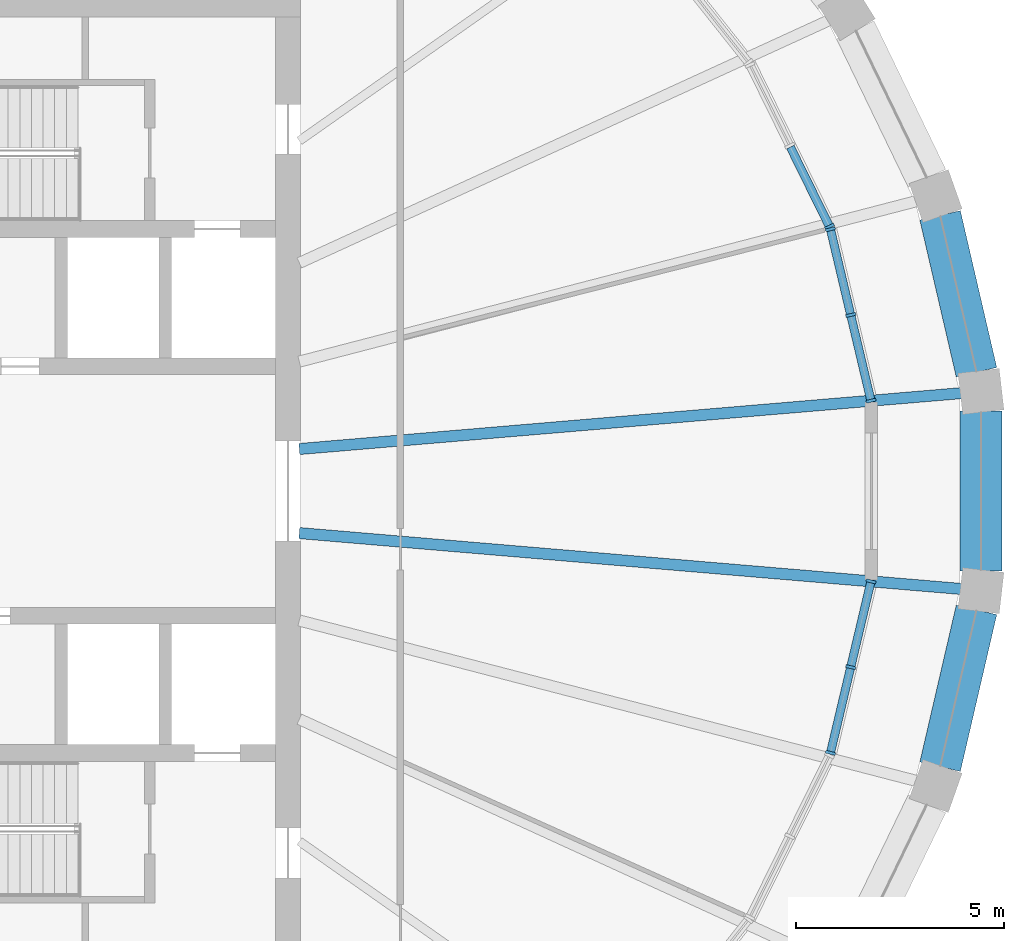
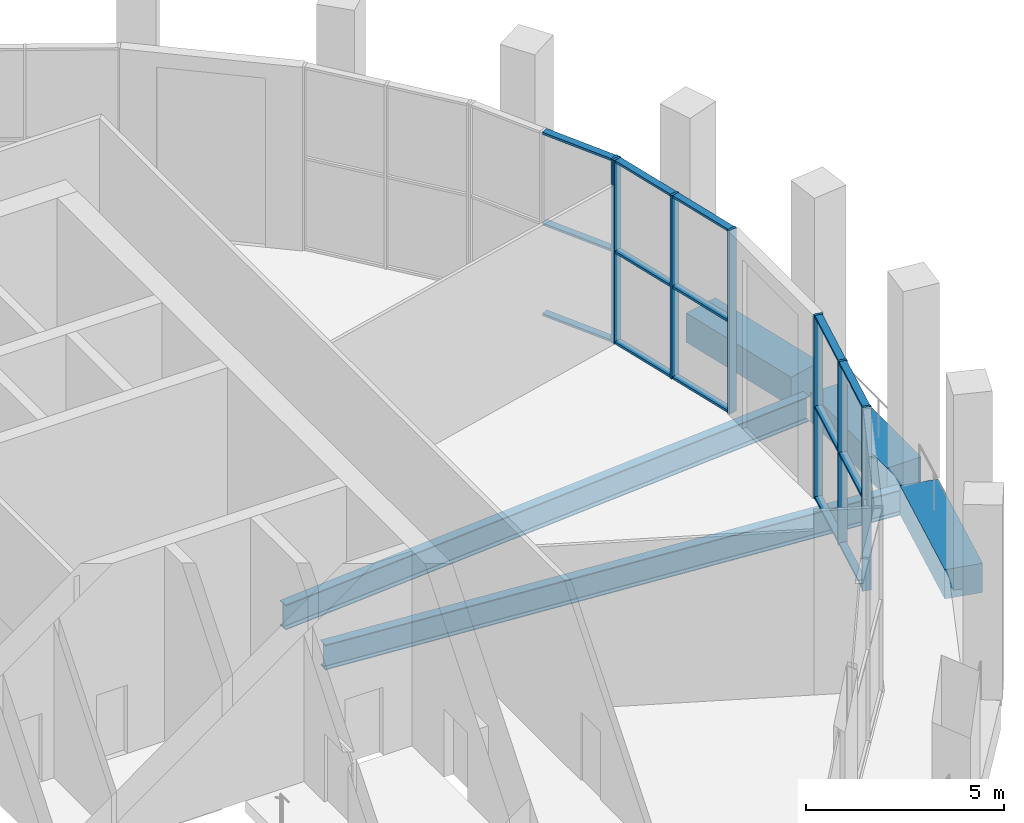
# One storey, part 5 of 15: 22 members, 5 beams, 3 elements without a shape of their own.
"""IFC4 building model written with IfcOpenShell, lengths in metres."""

from ifc_helpers import new_model, si_unit, direction, frame, origin, origin_2d, place, context, subcontext, project, spatial, rectangle, i_section, extrude, material, material_profile, profile_set, type_object, element, aggregate, save


model = new_model("IFC4")

# Units and contexts
model_context = context("Model", 3, precision=1e-05, world=origin(), true_north=direction((0.0, 1.0)))
body_context = subcontext(model_context, "Body", "Model", "MODEL_VIEW")
ifc_project = project(units=[si_unit("LENGTHUNIT", "METRE"), si_unit("AREAUNIT", "SQUARE_METRE"), si_unit("VOLUMEUNIT", "CUBIC_METRE"), si_unit("PLANEANGLEUNIT", "RADIAN"), si_unit("MASSUNIT", "GRAM", prefix="KILO")], contexts=[model_context])

# Site, building, storey
site_placement = place(None, origin())
site = spatial("IfcSite", under=ifc_project, at=site_placement, CompositionType="ELEMENT")
building_placement = place(site_placement, origin())
building = spatial("IfcBuilding", under=site, at=building_placement, Name="Halqa Exchange Tower", CompositionType="ELEMENT")
storey_placement = place(building_placement, frame((0.0, 0.0, 343.300048828125)))
storey = spatial("IfcBuildingStorey", under=building, at=storey_placement, Name="L80", CompositionType="ELEMENT", Elevation=343.300048828125)

# Beams
ifc_material_1 = material(Name="Steel S355", Category="steel")
ifc_material_profile_1 = material_profile(ifc_material_1, i_section(OverallWidth=0.26806640625, OverallDepth=0.77001953125, WebThickness=0.015625, FlangeThickness=0.025390625, FilletRadius=0.01708984375, at=origin_2d()), Name="IPE 750x196")
ifc_profile_set_1 = profile_set([ifc_material_profile_1], Name="Steel S355")
beam_type_1 = type_object("IfcBeamType", Name="Floor beam IPE 750x196", PredefinedType="BEAM", material=ifc_profile_set_1)
for number, where, z_axis, x_axis, name in (
    (1, (11.972900390625, 1.0107421875, -0.735107421875), (0.996455843657, 0.08411748713, 0.0), (-0.08411748713, 0.996455843657, 0.0), "Radial beam 1"),
    (2, (11.972900390625, -1.0107421875, -0.735107421875), (0.996455843657, -0.08411748713, 0.0), (0.08411748713, 0.996455843657, 0.0), "Radial beam 32"),
):
    element("IfcBeam", number, at=place(storey_placement, frame(where, z_axis=z_axis, x_axis=x_axis)), inside=storey, type_object=beam_type_1, Name=name, PredefinedType="BEAM", context=body_context, shape_type="SweptSolid", body=[
        extrude(i_section(OverallWidth=0.26806640625, OverallDepth=0.77001953125, WebThickness=0.015625, FlangeThickness=0.025390625, FilletRadius=0.01708984375, at=origin_2d()), origin(), (0.0, 0.0, 1.0), 16.076171875),
    ])

# Curtain wall, members
ifc_material_2 = material(Name="Anodised aluminium and clear glass", Category="aluminium")
curtain_wall_type = type_object("IfcCurtainWallType", Name="Observation deck glazing", PredefinedType="NOTDEFINED", material=ifc_material_2)
curtain_wall_1_placement = place(storey_placement, origin())
curtain_wall_1 = element("IfcCurtainWall", 3, at=curtain_wall_1_placement, inside=storey, type_object=curtain_wall_type, Name="Observation deck glazing run G1", PredefinedType="NOTDEFINED")
ifc_material_3 = material(Name="Anodised aluminium", Category="aluminium")
ifc_material_profile_2 = material_profile(ifc_material_3, rectangle(XDim=0.239990234375, YDim=0.070068359375, at=origin_2d()), Name="AL 70x240")
ifc_profile_set_2 = profile_set([ifc_material_profile_2], Name="Anodised aluminium")
member_type_1 = type_object("IfcMemberType", Name="Observation deck glazing mullion 70 x 240", PredefinedType="MULLION", material=ifc_profile_set_2)
member_1_placement = place(storey_placement, frame((25.71826171875, 2.171630859375, 0.0), z_axis=(0.0, 0.0, 1.0), x_axis=(-0.97319169906, -0.229995471437, 0.0)))
member_1 = element("IfcMember", 4, at=member_1_placement, type_object=member_type_1, Name="G1 mullion 1", PredefinedType="MULLION", context=body_context, shape_type="SweptSolid", body=[
    extrude(rectangle(XDim=0.239990234375, YDim=0.070068359375, at=origin_2d()), origin(), (0.0, 0.0, 1.0), 5.64990234375),
])
member_2_placement = place(storey_placement, frame((25.23095703125, 4.2333984375, 0.0), z_axis=(0.0, 0.0, 1.0), x_axis=(-0.97319169906, -0.229995471437, 0.0)))
member_2 = element("IfcMember", 5, at=member_2_placement, type_object=member_type_1, Name="G1 mullion 2", PredefinedType="MULLION", context=body_context, shape_type="SweptSolid", body=[
    extrude(rectangle(XDim=0.239990234375, YDim=0.070068359375, at=origin_2d()), origin(), (0.0, 0.0, 1.0), 5.64990234375),
])
member_3_placement = place(storey_placement, frame((24.74365234375, 6.29541015625, 0.0), z_axis=(0.0, 0.0, 1.0), x_axis=(-0.97319169906, -0.229995471437, 0.0)))
member_3 = element("IfcMember", 6, at=member_3_placement, type_object=member_type_1, Name="G1 mullion 3", PredefinedType="MULLION", context=body_context, shape_type="SweptSolid", body=[
    extrude(rectangle(XDim=0.239990234375, YDim=0.070068359375, at=origin_2d()), origin(), (0.0, 0.0, 1.0), 5.64990234375),
])

# Curtain wall, member
curtain_wall_2_placement = place(storey_placement, origin())
curtain_wall_2 = element("IfcCurtainWall", 7, at=curtain_wall_2_placement, inside=storey, type_object=curtain_wall_type, Name="Observation deck glazing run G2", PredefinedType="NOTDEFINED")
member_4_placement = place(storey_placement, frame((24.719970703125, 6.36083984375, 0.0), z_axis=(0.0, 0.0, 1.0), x_axis=(-0.897214741349, -0.441594506199, 0.0)))
member_4 = element("IfcMember", 8, at=member_4_placement, type_object=member_type_1, Name="G2 mullion 1", PredefinedType="MULLION", context=body_context, shape_type="SweptSolid", body=[
    extrude(rectangle(XDim=0.239990234375, YDim=0.070068359375, at=origin_2d()), origin(), (0.0, 0.0, 1.0), 5.64990234375),
])

# Curtain wall, members
curtain_wall_3_placement = place(storey_placement, origin())
curtain_wall_3 = element("IfcCurtainWall", 9, at=curtain_wall_3_placement, inside=storey, type_object=curtain_wall_type, Name="Observation deck glazing run G31", PredefinedType="NOTDEFINED")
member_5_placement = place(storey_placement, frame((24.74365234375, -6.29541015625, 0.0), z_axis=(0.0, 0.0, 1.0), x_axis=(-0.97319169906, 0.229995471437, 0.0)))
member_5 = element("IfcMember", 10, at=member_5_placement, type_object=member_type_1, Name="G31 mullion 1", PredefinedType="MULLION", context=body_context, shape_type="SweptSolid", body=[
    extrude(rectangle(XDim=0.239990234375, YDim=0.070068359375, at=origin_2d()), origin(), (0.0, 0.0, 1.0), 5.64990234375),
])
member_6_placement = place(storey_placement, frame((25.23095703125, -4.2333984375, 0.0), z_axis=(0.0, 0.0, 1.0), x_axis=(-0.97319169906, 0.229995471437, 0.0)))
member_6 = element("IfcMember", 11, at=member_6_placement, type_object=member_type_1, Name="G31 mullion 2", PredefinedType="MULLION", context=body_context, shape_type="SweptSolid", body=[
    extrude(rectangle(XDim=0.239990234375, YDim=0.070068359375, at=origin_2d()), origin(), (0.0, 0.0, 1.0), 5.64990234375),
])
member_7_placement = place(storey_placement, frame((25.71826171875, -2.171630859375, 0.0), z_axis=(0.0, 0.0, 1.0), x_axis=(-0.97319169906, 0.229995471437, 0.0)))
member_7 = element("IfcMember", 12, at=member_7_placement, type_object=member_type_1, Name="G31 mullion 3", PredefinedType="MULLION", context=body_context, shape_type="SweptSolid", body=[
    extrude(rectangle(XDim=0.239990234375, YDim=0.070068359375, at=origin_2d()), origin(), (0.0, 0.0, 1.0), 5.64990234375),
])

# Member
ifc_material_profile_3 = material_profile(ifc_material_3, rectangle(XDim=0.199951171875, YDim=0.070068359375, at=origin_2d()), Name="AL 70x200")
ifc_profile_set_3 = profile_set([ifc_material_profile_3], Name="Anodised aluminium")
member_type_2 = type_object("IfcMemberType", Name="Observation deck glazing transom 70 x 200", PredefinedType="USERDEFINED", material=ifc_profile_set_3)
member_8_placement = place(storey_placement, frame((25.710205078125, 2.20556640625, 0.034912109375), z_axis=(-0.229982362929, 0.973194796914, 0.0), x_axis=(-0.973194796914, -0.229982362929, 0.0)))
member_8 = element("IfcMember", 13, at=member_8_placement, type_object=member_type_2, Name="G1 transom 1.1", ObjectType="TRANSOM", PredefinedType="USERDEFINED", context=body_context, shape_type="SweptSolid", body=[
    extrude(rectangle(XDim=0.199951171875, YDim=0.070068359375, at=origin_2d()), origin(), (0.0, 0.0, 1.0), 2.048828125),
])

member_9_placement = place(storey_placement, frame((25.710205078125, 2.20556640625, 2.824951171875), z_axis=(-0.229982362929, 0.973194796914, 0.0), x_axis=(-0.973194796914, -0.229982362929, 0.0)))
member_9 = element("IfcMember", 14, at=member_9_placement, type_object=member_type_2, Name="G1 transom 1.2", ObjectType="TRANSOM", PredefinedType="USERDEFINED", context=body_context, shape_type="SweptSolid", body=[
    extrude(rectangle(XDim=0.199951171875, YDim=0.070068359375, at=origin_2d()), origin(), (0.0, 0.0, 1.0), 2.048828125),
])

member_10_placement = place(storey_placement, frame((25.710205078125, 2.20556640625, 5.614990234375), z_axis=(-0.229982362929, 0.973194796914, 0.0), x_axis=(-0.973194796914, -0.229982362929, 0.0)))
member_10 = element("IfcMember", 15, at=member_10_placement, type_object=member_type_2, Name="G1 transom 1.3", ObjectType="TRANSOM", PredefinedType="USERDEFINED", context=body_context, shape_type="SweptSolid", body=[
    extrude(rectangle(XDim=0.199951171875, YDim=0.070068359375, at=origin_2d()), origin(), (0.0, 0.0, 1.0), 2.048828125),
])

member_11_placement = place(storey_placement, frame((25.222900390625, 4.267578125, 0.034912109375), z_axis=(-0.229982362929, 0.973194796914, 0.0), x_axis=(-0.973194796914, -0.229982362929, 0.0)))
member_11 = element("IfcMember", 16, at=member_11_placement, type_object=member_type_2, Name="G1 transom 2.1", ObjectType="TRANSOM", PredefinedType="USERDEFINED", context=body_context, shape_type="SweptSolid", body=[
    extrude(rectangle(XDim=0.199951171875, YDim=0.070068359375, at=origin_2d()), origin(), (0.0, 0.0, 1.0), 2.048828125),
])

member_12_placement = place(storey_placement, frame((25.222900390625, 4.267578125, 2.824951171875), z_axis=(-0.229982362929, 0.973194796914, 0.0), x_axis=(-0.973194796914, -0.229982362929, 0.0)))
member_12 = element("IfcMember", 17, at=member_12_placement, type_object=member_type_2, Name="G1 transom 2.2", ObjectType="TRANSOM", PredefinedType="USERDEFINED", context=body_context, shape_type="SweptSolid", body=[
    extrude(rectangle(XDim=0.199951171875, YDim=0.070068359375, at=origin_2d()), origin(), (0.0, 0.0, 1.0), 2.048828125),
])

member_13_placement = place(storey_placement, frame((25.222900390625, 4.267578125, 5.614990234375), z_axis=(-0.229982362929, 0.973194796914, 0.0), x_axis=(-0.973194796914, -0.229982362929, 0.0)))
member_13 = element("IfcMember", 18, at=member_13_placement, type_object=member_type_2, Name="G1 transom 2.3", ObjectType="TRANSOM", PredefinedType="USERDEFINED", context=body_context, shape_type="SweptSolid", body=[
    extrude(rectangle(XDim=0.199951171875, YDim=0.070068359375, at=origin_2d()), origin(), (0.0, 0.0, 1.0), 2.048828125),
])

aggregate(curtain_wall_1, [member_1, member_2, member_3, member_8, member_9, member_10, member_11, member_12, member_13])

member_14_placement = place(storey_placement, frame((24.70458984375, 6.392333984375, 0.034912109375), z_axis=(-0.441656599677, 0.89718417728, 0.0), x_axis=(-0.89718417728, -0.441656599677, 0.0)))
member_14 = element("IfcMember", 19, at=member_14_placement, type_object=member_type_2, Name="G2 transom 1.1", ObjectType="TRANSOM", PredefinedType="USERDEFINED", context=body_context, shape_type="SweptSolid", body=[
    extrude(rectangle(XDim=0.199951171875, YDim=0.070068359375, at=origin_2d()), origin(), (0.0, 0.0, 1.0), 2.094482421875),
])

member_15_placement = place(storey_placement, frame((24.70458984375, 6.392333984375, 2.824951171875), z_axis=(-0.441656599677, 0.89718417728, 0.0), x_axis=(-0.89718417728, -0.441656599677, 0.0)))
member_15 = element("IfcMember", 20, at=member_15_placement, type_object=member_type_2, Name="G2 transom 1.2", ObjectType="TRANSOM", PredefinedType="USERDEFINED", context=body_context, shape_type="SweptSolid", body=[
    extrude(rectangle(XDim=0.199951171875, YDim=0.070068359375, at=origin_2d()), origin(), (0.0, 0.0, 1.0), 2.094482421875),
])

member_16_placement = place(storey_placement, frame((24.70458984375, 6.392333984375, 5.614990234375), z_axis=(-0.441656599677, 0.89718417728, 0.0), x_axis=(-0.89718417728, -0.441656599677, 0.0)))
member_16 = element("IfcMember", 21, at=member_16_placement, type_object=member_type_2, Name="G2 transom 1.3", ObjectType="TRANSOM", PredefinedType="USERDEFINED", context=body_context, shape_type="SweptSolid", body=[
    extrude(rectangle(XDim=0.199951171875, YDim=0.070068359375, at=origin_2d()), origin(), (0.0, 0.0, 1.0), 2.094482421875),
])

aggregate(curtain_wall_2, [member_4, member_14, member_15, member_16])

member_17_placement = place(storey_placement, frame((24.751708984375, -6.261474609375, 0.034912109375), z_axis=(0.229982362929, 0.973194796914, 0.0), x_axis=(-0.973194796914, 0.229982362929, 0.0)))
member_17 = element("IfcMember", 22, at=member_17_placement, type_object=member_type_2, Name="G31 transom 1.1", ObjectType="TRANSOM", PredefinedType="USERDEFINED", context=body_context, shape_type="SweptSolid", body=[
    extrude(rectangle(XDim=0.199951171875, YDim=0.070068359375, at=origin_2d()), origin(), (0.0, 0.0, 1.0), 2.048828125),
])

member_18_placement = place(storey_placement, frame((24.751708984375, -6.261474609375, 2.824951171875), z_axis=(0.229982362929, 0.973194796914, 0.0), x_axis=(-0.973194796914, 0.229982362929, 0.0)))
member_18 = element("IfcMember", 23, at=member_18_placement, type_object=member_type_2, Name="G31 transom 1.2", ObjectType="TRANSOM", PredefinedType="USERDEFINED", context=body_context, shape_type="SweptSolid", body=[
    extrude(rectangle(XDim=0.199951171875, YDim=0.070068359375, at=origin_2d()), origin(), (0.0, 0.0, 1.0), 2.048828125),
])

member_19_placement = place(storey_placement, frame((24.751708984375, -6.261474609375, 5.614990234375), z_axis=(0.229982362929, 0.973194796914, 0.0), x_axis=(-0.973194796914, 0.229982362929, 0.0)))
member_19 = element("IfcMember", 24, at=member_19_placement, type_object=member_type_2, Name="G31 transom 1.3", ObjectType="TRANSOM", PredefinedType="USERDEFINED", context=body_context, shape_type="SweptSolid", body=[
    extrude(rectangle(XDim=0.199951171875, YDim=0.070068359375, at=origin_2d()), origin(), (0.0, 0.0, 1.0), 2.048828125),
])

member_20_placement = place(storey_placement, frame((25.239013671875, -4.199462890625, 0.034912109375), z_axis=(0.229982362929, 0.973194796914, 0.0), x_axis=(-0.973194796914, 0.229982362929, 0.0)))
member_20 = element("IfcMember", 25, at=member_20_placement, type_object=member_type_2, Name="G31 transom 2.1", ObjectType="TRANSOM", PredefinedType="USERDEFINED", context=body_context, shape_type="SweptSolid", body=[
    extrude(rectangle(XDim=0.199951171875, YDim=0.070068359375, at=origin_2d()), origin(), (0.0, 0.0, 1.0), 2.048828125),
])

member_21_placement = place(storey_placement, frame((25.239013671875, -4.199462890625, 2.824951171875), z_axis=(0.229982362929, 0.973194796914, 0.0), x_axis=(-0.973194796914, 0.229982362929, 0.0)))
member_21 = element("IfcMember", 26, at=member_21_placement, type_object=member_type_2, Name="G31 transom 2.2", ObjectType="TRANSOM", PredefinedType="USERDEFINED", context=body_context, shape_type="SweptSolid", body=[
    extrude(rectangle(XDim=0.199951171875, YDim=0.070068359375, at=origin_2d()), origin(), (0.0, 0.0, 1.0), 2.048828125),
])

member_22_placement = place(storey_placement, frame((25.239013671875, -4.199462890625, 5.614990234375), z_axis=(0.229982362929, 0.973194796914, 0.0), x_axis=(-0.973194796914, 0.229982362929, 0.0)))
member_22 = element("IfcMember", 27, at=member_22_placement, type_object=member_type_2, Name="G31 transom 2.3", ObjectType="TRANSOM", PredefinedType="USERDEFINED", context=body_context, shape_type="SweptSolid", body=[
    extrude(rectangle(XDim=0.199951171875, YDim=0.070068359375, at=origin_2d()), origin(), (0.0, 0.0, 1.0), 2.048828125),
])

aggregate(curtain_wall_3, [member_5, member_6, member_7, member_17, member_18, member_19, member_20, member_21, member_22])

# Beams
ifc_material_4 = material(Name="Concrete C60/75", Category="concrete")
ifc_material_profile_4 = material_profile(ifc_material_4, rectangle(XDim=1.0, YDim=0.89990234375, at=origin_2d()), Name="1000 x 900")
ifc_profile_set_4 = profile_set([ifc_material_profile_4], Name="Concrete C60/75")
beam_type_2 = type_object("IfcBeamType", Name="RC spandrel beam 1000 x 900 C60/75", PredefinedType="SPANDREL", material=ifc_profile_set_4)
for number, where, z_axis, x_axis, name in (
    (28, (28.25537109375, 2.857177734375, -0.449951171875), (-0.226093384766, 0.974105631523, 0.0), (-0.974105631523, -0.226093384766, 0.0), "Spandrel 1"),
    (29, (27.3798828125, -6.629150390625, -0.449951171875), (0.226093384766, 0.974105631523, 0.0), (-0.974105631523, 0.226093384766, 0.0), "Spandrel 31"),
):
    element("IfcBeam", number, at=place(storey_placement, frame(where, z_axis=z_axis, x_axis=x_axis)), inside=storey, type_object=beam_type_2, Name=name, PredefinedType="SPANDREL", context=body_context, shape_type="SweptSolid", body=[
        extrude(rectangle(XDim=1.0, YDim=0.89990234375, at=origin_2d()), origin(), (0.0, 0.0, 1.0), 3.872314453125),
    ])
beam_placement = place(storey_placement, frame((28.36279296875, -1.919189453125, -0.449951171875), z_axis=(0.0, 1.0, 0.0), x_axis=(-1.0, 0.0, 0.0)))
element("IfcBeam", 30, at=beam_placement, inside=storey, type_object=beam_type_2, Name="Spandrel 32", PredefinedType="SPANDREL", context=body_context, shape_type="SweptSolid", body=[
    extrude(rectangle(XDim=1.0, YDim=0.89990234375, at=origin_2d()), origin(), (0.0, 0.0, 1.0), 3.83837890625),
])

save(model, "model.ifc")
